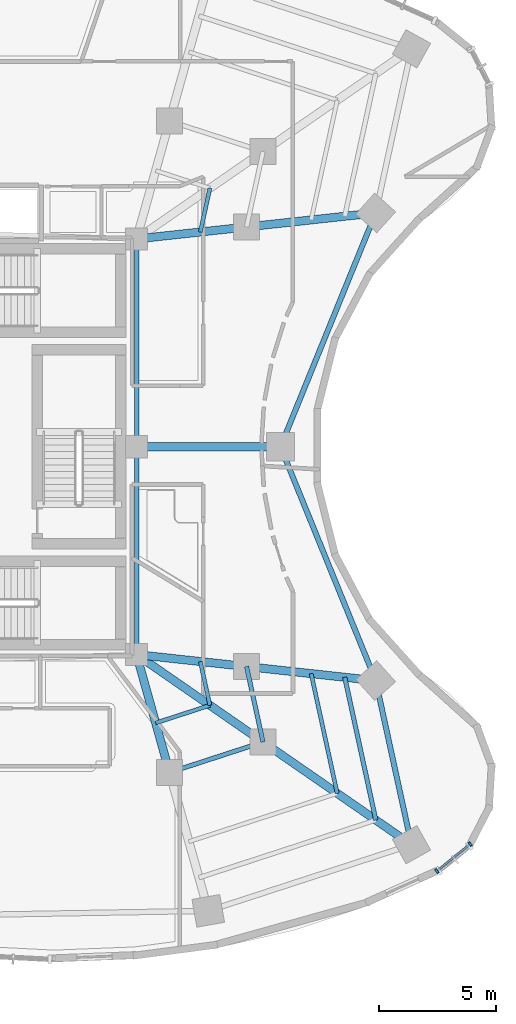
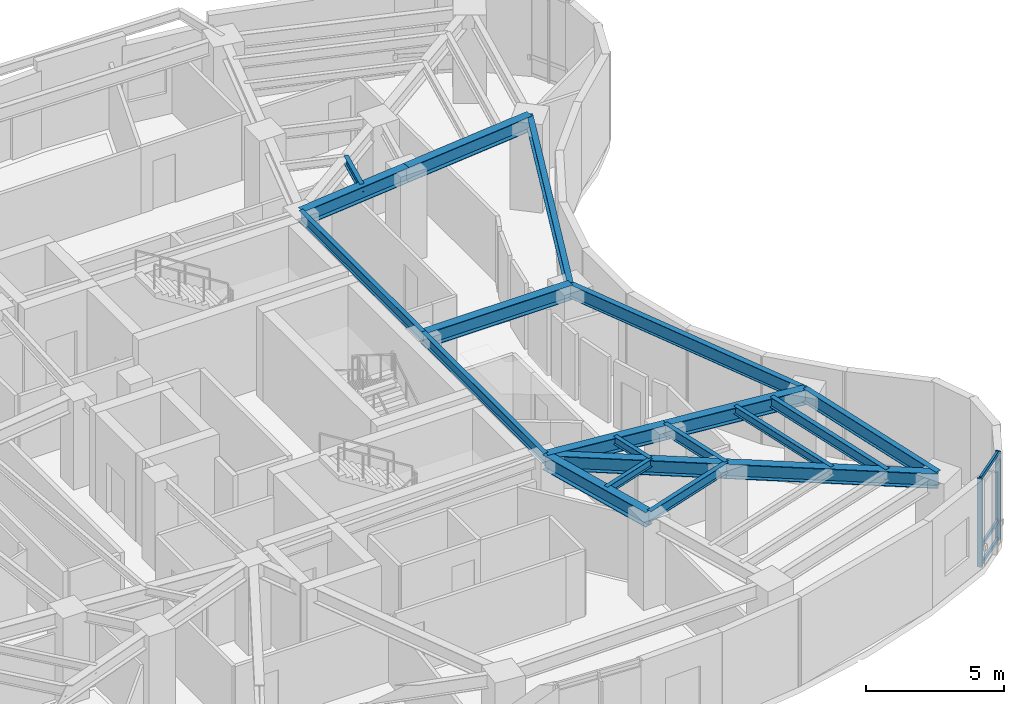
# One storey, part 4 of 15: 20 beams, 5 members, 1 element without a shape of its own.
"""IFC4 building model written with IfcOpenShell, lengths in metres."""

from ifc_helpers import new_model, si_unit, direction, frame, origin, origin_2d, place, context, subcontext, project, spatial, rectangle, i_section, extrude, material, layer, layer_set, material_profile, profile_set, type_object, element, aggregate, save


model = new_model("IFC4")

# Units and contexts
model_context = context("Model", 3, precision=1e-05, world=origin(), true_north=direction((0.0, 1.0)))
body_context = subcontext(model_context, "Body", "Model", "MODEL_VIEW")
ifc_project = project(units=[si_unit("LENGTHUNIT", "METRE"), si_unit("AREAUNIT", "SQUARE_METRE"), si_unit("VOLUMEUNIT", "CUBIC_METRE"), si_unit("PLANEANGLEUNIT", "RADIAN"), si_unit("MASSUNIT", "GRAM", prefix="KILO")], contexts=[model_context])

# Site, building, storey
site_placement = place(None, origin())
site = spatial("IfcSite", under=ifc_project, at=site_placement, CompositionType="ELEMENT")
building_placement = place(site_placement, origin())
building = spatial("IfcBuilding", under=site, at=building_placement, Name="Korentha Bioscience Tower", CompositionType="ELEMENT")
storey_placement = place(building_placement, frame((0.0, 0.0, 94.199951171875)))
storey = spatial("IfcBuildingStorey", under=building, at=storey_placement, Name="L21", CompositionType="ELEMENT", Elevation=94.199951171875)

# Beams
ifc_material_1 = material(Name="Steel S355", Category="steel")
ifc_material_profile_1 = material_profile(ifc_material_1, i_section(OverallWidth=0.18994140625, OverallDepth=0.45703125, WebThickness=0.009033203125, FlangeThickness=0.014404296875, at=origin_2d()), Name="Steel S355")
ifc_profile_set_1 = profile_set([ifc_material_profile_1], Name="Steel S355 (MB-460)")
beam_type_1 = type_object("IfcBeamType", Name="Mid-Ring Tie Girder W460x74", PredefinedType="BEAM", material=ifc_profile_set_1)
beam_1_placement = place(storey_placement, frame((38.954833984375, 13.129150390625, 3.671630859375), z_axis=(0.95087582253, 0.309572560361, 0.0), x_axis=(-0.309572560361, 0.95087582253, 0.0)))
element("IfcBeam", 1, at=beam_1_placement, inside=storey, type_object=beam_type_1, Name="L21 Mid-Ring Tie Girder 12", PredefinedType="BEAM", context=body_context, shape_type="SweptSolid", body=[
    extrude(i_section(OverallWidth=0.18994140625, OverallDepth=0.45703125, WebThickness=0.009033203125, FlangeThickness=0.014404296875, at=origin_2d()), origin(), (0.0, 0.0, 1.0), 4.186767578125),
])
beam_2_placement = place(storey_placement, frame((42.93603515625, 14.42529296875, 3.671630859375), z_axis=(-0.212928773299, 0.977067724112, 0.0), x_axis=(-0.977067724112, -0.212928773299, 0.0)))
element("IfcBeam", 2, at=beam_2_placement, inside=storey, type_object=beam_type_1, Name="L21 Mid-Ring Tie Girder 13", PredefinedType="BEAM", context=body_context, shape_type="SweptSolid", body=[
    extrude(i_section(OverallWidth=0.18994140625, OverallDepth=0.45703125, WebThickness=0.009033203125, FlangeThickness=0.014404296875, at=origin_2d()), origin(), (0.0, 0.0, 1.0), 3.28955078125),
])
for number, where, z_axis, x_axis, name in (
    (3, (37.550048828125, 18.14990234375, 3.671630859375), (0.0, 1.0, 0.0), (-1.0, 0.0, 0.0), "L21 Core Ring Tie Girder 06"),
    (4, (37.550048828125, 27.0, 3.671630859375), (0.0, 1.0, 0.0), (-1.0, 0.0, 0.0), "L21 Core Ring Tie Girder 07"),
):
    element("IfcBeam", number, at=place(storey_placement, frame(where, z_axis=z_axis, x_axis=x_axis)), inside=storey, type_object=beam_type_1, Name=name, PredefinedType="BEAM", context=body_context, shape_type="SweptSolid", body=[
        extrude(i_section(OverallWidth=0.18994140625, OverallDepth=0.45703125, WebThickness=0.009033203125, FlangeThickness=0.014404296875, at=origin_2d()), origin(), (0.0, 0.0, 1.0), 8.85009765625),
    ])

# Curtain wall, members
ifc_material_2 = material(Name="Thermally Broken Aluminium Frame", Category="aluminium")
ifc_layer = layer(ifc_material_2, 0.219970703125, Name="Thermally Broken Aluminium Frame")
ifc_layer_set = layer_set([ifc_layer], Name="Thermally Broken Aluminium Frame (CW-T2)")
curtain_wall_type = type_object("IfcCurtainWallType", Name="Solar-Screened Lab Unitised Curtain Wall CW-T2", PredefinedType="USERDEFINED", material=ifc_layer_set)
curtain_wall_placement = place(storey_placement, origin())
curtain_wall = element("IfcCurtainWall", 5, at=curtain_wall_placement, inside=storey, type_object=curtain_wall_type, Name="L21 Curtain Wall 37", ObjectType="UNITISED", PredefinedType="USERDEFINED")
ifc_material_3 = material(Name="Anodised Aluminium 6063-T6", Category="aluminium")
ifc_material_profile_2 = material_profile(ifc_material_3, rectangle(XDim=0.090087890625, YDim=0.199951171875, at=origin_2d()), Name="Anodised Aluminium 6063-T6")
ifc_profile_set_2 = profile_set([ifc_material_profile_2], Name="Anodised Aluminium 6063-T6 (CW-MUL)")
member_type_1 = type_object("IfcMemberType", Name="Mullion RECT 90x200", PredefinedType="MULLION", material=ifc_profile_set_2)
member_1_placement = place(storey_placement, frame((50.337158203125, 8.931884765625, 0.0), z_axis=(0.0, 0.0, 1.0), x_axis=(0.777315301098, 0.629111216463, 0.0)))
member_1 = element("IfcMember", 6, at=member_1_placement, type_object=member_type_1, Name="CW-L21-37 Mullion 1", PredefinedType="MULLION", context=body_context, shape_type="SweptSolid", body=[
    extrude(rectangle(XDim=0.090087890625, YDim=0.199951171875, at=origin_2d()), origin(), (0.0, 0.0, 1.0), 3.900146484375),
])
member_2_placement = place(storey_placement, frame((51.7578125, 10.08154296875, 0.0), z_axis=(0.0, 0.0, 1.0), x_axis=(0.777315301098, 0.629111216463, 0.0)))
member_2 = element("IfcMember", 7, at=member_2_placement, type_object=member_type_1, Name="CW-L21-37 Mullion 2", PredefinedType="MULLION", context=body_context, shape_type="SweptSolid", body=[
    extrude(rectangle(XDim=0.090087890625, YDim=0.199951171875, at=origin_2d()), origin(), (0.0, 0.0, 1.0), 3.900146484375),
])

# Beams
ifc_material_profile_3 = material_profile(ifc_material_1, i_section(OverallWidth=0.22802734375, OverallDepth=0.60791015625, WebThickness=0.01123046875, FlangeThickness=0.017333984375, at=origin_2d()), Name="Steel S355")
ifc_profile_set_3 = profile_set([ifc_material_profile_3], Name="Steel S355 (SB-610)")
beam_type_2 = type_object("IfcBeamType", Name="Perimeter Ring Spandrel Girder W610x113", PredefinedType="SPANDREL", material=ifc_profile_set_3)
beam_3_placement = place(storey_placement, frame((49.2587890625, 10.052978515625, 3.595947265625), z_axis=(-0.212927102256, 0.977068088275, 0.0), x_axis=(-0.977068088275, -0.212927102256, 0.0)))
element("IfcBeam", 8, at=beam_3_placement, inside=storey, type_object=beam_type_2, Name="L21 Perimeter Spandrel Girder 13", PredefinedType="SPANDREL", context=body_context, shape_type="SweptSolid", body=[
    extrude(i_section(OverallWidth=0.22802734375, OverallDepth=0.60791015625, WebThickness=0.01123046875, FlangeThickness=0.017333984375, at=origin_2d()), origin(), (0.0, 0.0, 1.0), 7.1513671875),
])
for number, where, z_axis, x_axis, name in (
    (9, (47.736083984375, 17.040283203125, 3.595947265625), (-0.37709856037, 0.926173134876, 0.0), (-0.926173134876, -0.37709856037, 0.0), "L21 Perimeter Spandrel Girder 14"),
    (10, (43.680908203125, 27.0, 3.595947265625), (0.37709856037, 0.926173134876, 0.0), (-0.926173134876, 0.37709856037, 0.0), "L21 Perimeter Spandrel Girder 15"),
):
    element("IfcBeam", number, at=place(storey_placement, frame(where, z_axis=z_axis, x_axis=x_axis)), inside=storey, type_object=beam_type_2, Name=name, PredefinedType="SPANDREL", context=body_context, shape_type="SweptSolid", body=[
        extrude(i_section(OverallWidth=0.22802734375, OverallDepth=0.60791015625, WebThickness=0.01123046875, FlangeThickness=0.017333984375, at=origin_2d()), origin(), (0.0, 0.0, 1.0), 10.753662109375),
    ])
ifc_material_profile_4 = material_profile(ifc_material_1, i_section(OverallWidth=0.18994140625, OverallDepth=0.45703125, WebThickness=0.009033203125, FlangeThickness=0.014404296875, at=origin_2d()), Name="Steel S355")
ifc_profile_set_4 = profile_set([ifc_material_profile_4], Name="Steel S355 (RB-460)")
beam_type_3 = type_object("IfcBeamType", Name="Radial Laboratory Beam W460x74", PredefinedType="BEAM", material=ifc_profile_set_4)
beam_4_placement = place(storey_placement, frame((47.7412109375, 11.1025390625, 3.671630859375), z_axis=(-0.21290837934, 0.977072168269, 0.0), x_axis=(-0.977072168269, -0.21290837934, 0.0)))
element("IfcBeam", 11, at=beam_4_placement, inside=storey, type_object=beam_type_3, Name="L21 Secondary Floor Beam JSTO-13", PredefinedType="BEAM", context=body_context, shape_type="SweptSolid", body=[
    extrude(i_section(OverallWidth=0.18994140625, OverallDepth=0.45703125, WebThickness=0.009033203125, FlangeThickness=0.014404296875, at=origin_2d()), origin(), (0.0, 0.0, 1.0), 6.224365234375),
])
ifc_material_profile_5 = material_profile(ifc_material_1, i_section(OverallWidth=0.35009765625, OverallDepth=0.64990234375, WebThickness=0.01611328125, FlangeThickness=0.02490234375, at=origin_2d()), Name="Steel S355")
ifc_profile_set_5 = profile_set([ifc_material_profile_5], Name="Steel S355 (RB-650)")
beam_type_4 = type_object("IfcBeamType", Name="Radial Laboratory Girder CVS 650x208", PredefinedType="BEAM", material=ifc_profile_set_5)
beam_5_placement = place(storey_placement, frame((37.550048828125, 18.14990234375, 3.574951171875), z_axis=(0.269447542125, -0.96301506844, 0.0), x_axis=(0.96301506844, 0.269447542125, 0.0)))
element("IfcBeam", 12, at=beam_5_placement, inside=storey, type_object=beam_type_4, Name="L21 Inner Radial Girder 12", PredefinedType="BEAM", context=body_context, shape_type="SweptSolid", body=[
    extrude(i_section(OverallWidth=0.35009765625, OverallDepth=0.64990234375, WebThickness=0.01611328125, FlangeThickness=0.02490234375, at=origin_2d()), origin(), (0.0, 0.0, 1.0), 5.213623046875),
])
beam_6_placement = place(storey_placement, frame((37.550048828125, 18.14990234375, 3.574951171875), z_axis=(0.822488699387, -0.568781451333, 0.0), x_axis=(0.568781451333, 0.822488699387, 0.0)))
element("IfcBeam", 13, at=beam_6_placement, inside=storey, type_object=beam_type_4, Name="L21 Inner Radial Girder 13", PredefinedType="BEAM", context=body_context, shape_type="SweptSolid", body=[
    extrude(i_section(OverallWidth=0.35009765625, OverallDepth=0.64990234375, WebThickness=0.01611328125, FlangeThickness=0.02490234375, at=origin_2d()), origin(), (0.0, 0.0, 1.0), 6.54833984375),
])
beam_7_placement = place(storey_placement, frame((42.93603515625, 14.42529296875, 3.574951171875), z_axis=(0.822495056204, -0.568772258922, 0.0), x_axis=(0.568772258922, 0.822495056204, 0.0)))
element("IfcBeam", 14, at=beam_7_placement, inside=storey, type_object=beam_type_4, Name="L21 Outer Radial Girder 13", PredefinedType="BEAM", context=body_context, shape_type="SweptSolid", body=[
    extrude(i_section(OverallWidth=0.35009765625, OverallDepth=0.64990234375, WebThickness=0.01611328125, FlangeThickness=0.02490234375, at=origin_2d()), origin(), (0.0, 0.0, 1.0), 7.687255859375),
])
beam_8_placement = place(storey_placement, frame((37.550048828125, 18.14990234375, 3.574951171875), z_axis=(0.994117092476, -0.108310694058, 0.0), x_axis=(0.108310694058, 0.994117092476, 0.0)))
element("IfcBeam", 15, at=beam_8_placement, inside=storey, type_object=beam_type_4, Name="L21 Inner Radial Girder 14", PredefinedType="BEAM", context=body_context, shape_type="SweptSolid", body=[
    extrude(i_section(OverallWidth=0.35009765625, OverallDepth=0.64990234375, WebThickness=0.01611328125, FlangeThickness=0.02490234375, at=origin_2d()), origin(), (0.0, 0.0, 1.0), 4.71337890625),
])
beam_9_placement = place(storey_placement, frame((42.235595703125, 17.639404296875, 3.574951171875), z_axis=(0.994120325557, -0.108281015487, 0.0), x_axis=(0.108281015487, 0.994120325557, 0.0)))
element("IfcBeam", 16, at=beam_9_placement, inside=storey, type_object=beam_type_4, Name="L21 Outer Radial Girder 14", PredefinedType="BEAM", context=body_context, shape_type="SweptSolid", body=[
    extrude(i_section(OverallWidth=0.35009765625, OverallDepth=0.64990234375, WebThickness=0.01611328125, FlangeThickness=0.02490234375, at=origin_2d()), origin(), (0.0, 0.0, 1.0), 5.532958984375),
])
beam_10_placement = place(storey_placement, frame((37.550048828125, 27.0, 3.574951171875), z_axis=(1.0, 0.0, 0.0), x_axis=(0.0, 1.0, 0.0)))
element("IfcBeam", 17, at=beam_10_placement, inside=storey, type_object=beam_type_4, Name="L21 Radial Girder 15", PredefinedType="BEAM", context=body_context, shape_type="SweptSolid", body=[
    extrude(i_section(OverallWidth=0.35009765625, OverallDepth=0.64990234375, WebThickness=0.01611328125, FlangeThickness=0.02490234375, at=origin_2d()), origin(), (0.0, 0.0, 1.0), 6.130859375),
])
beam_11_placement = place(storey_placement, frame((37.550048828125, 35.85009765625, 3.574951171875), z_axis=(0.994117092476, 0.108310694058, 0.0), x_axis=(-0.108310694058, 0.994117092476, 0.0)))
element("IfcBeam", 18, at=beam_11_placement, inside=storey, type_object=beam_type_4, Name="L21 Inner Radial Girder 16", PredefinedType="BEAM", context=body_context, shape_type="SweptSolid", body=[
    extrude(i_section(OverallWidth=0.35009765625, OverallDepth=0.64990234375, WebThickness=0.01611328125, FlangeThickness=0.02490234375, at=origin_2d()), origin(), (0.0, 0.0, 1.0), 4.71337890625),
])
beam_12_placement = place(storey_placement, frame((42.235595703125, 36.360595703125, 3.574951171875), z_axis=(0.994120325557, 0.108281015487, 0.0), x_axis=(-0.108281015487, 0.994120325557, 0.0)))
element("IfcBeam", 19, at=beam_12_placement, inside=storey, type_object=beam_type_4, Name="L21 Outer Radial Girder 16", PredefinedType="BEAM", context=body_context, shape_type="SweptSolid", body=[
    extrude(i_section(OverallWidth=0.35009765625, OverallDepth=0.64990234375, WebThickness=0.01611328125, FlangeThickness=0.02490234375, at=origin_2d()), origin(), (0.0, 0.0, 1.0), 5.532958984375),
])
ifc_material_profile_6 = material_profile(ifc_material_1, i_section(OverallWidth=0.1708984375, OverallDepth=0.35498046875, WebThickness=0.007080078125, FlangeThickness=0.01171875, at=origin_2d()), Name="Steel S355")
ifc_profile_set_6 = profile_set([ifc_material_profile_6], Name="Steel S355 (JB-360)")
beam_type_5 = type_object("IfcBeamType", Name="Secondary Laboratory Joist W360x51", PredefinedType="JOIST", material=ifc_profile_set_6)
beam_13_placement = place(storey_placement, frame((38.36474609375, 15.23779296875, 3.72265625), z_axis=(0.950852158547, 0.30964523666, 0.0), x_axis=(-0.30964523666, 0.950852158547, 0.0)))
element("IfcBeam", 20, at=beam_13_placement, inside=storey, type_object=beam_type_5, Name="L21 Inner Bay Joist 12", PredefinedType="JOIST", context=body_context, shape_type="SweptSolid", body=[
    extrude(i_section(OverallWidth=0.1708984375, OverallDepth=0.35498046875, WebThickness=0.007080078125, FlangeThickness=0.01171875, at=origin_2d()), origin(), (0.0, 0.0, 1.0), 2.428466796875),
])
beam_14_placement = place(storey_placement, frame((46.097412109375, 12.2392578125, 3.72265625), z_axis=(-0.212932493609, 0.977066913351, 0.0), x_axis=(-0.977066913351, -0.212932493609, 0.0)))
element("IfcBeam", 21, at=beam_14_placement, inside=storey, type_object=beam_type_5, Name="L21 Secondary Floor Beam JST-13", PredefinedType="JOIST", context=body_context, shape_type="SweptSolid", body=[
    extrude(i_section(OverallWidth=0.1708984375, OverallDepth=0.35498046875, WebThickness=0.007080078125, FlangeThickness=0.01171875, at=origin_2d()), origin(), (0.0, 0.0, 1.0), 5.22021484375),
])
for number, where, z_axis, x_axis, name in (
    (22, (40.673828125, 15.98974609375, 3.72265625), (-0.212918344001, 0.977069996872, 0.0), (-0.977069996872, -0.212918344001, 0.0), "L21 Inner Bay Joist 13"),
    (23, (40.267578125, 36.14599609375, 3.72265625), (0.212918344001, 0.977069996872, 0.0), (-0.977069996872, 0.212918344001, 0.0), "L21 Inner Bay Joist 16"),
):
    element("IfcBeam", number, at=place(storey_placement, frame(where, z_axis=z_axis, x_axis=x_axis)), inside=storey, type_object=beam_type_5, Name=name, PredefinedType="JOIST", context=body_context, shape_type="SweptSolid", body=[
        extrude(i_section(OverallWidth=0.1708984375, OverallDepth=0.35498046875, WebThickness=0.007080078125, FlangeThickness=0.01171875, at=origin_2d()), origin(), (0.0, 0.0, 1.0), 1.907958984375),
    ])

# Member
ifc_material_profile_7 = material_profile(ifc_material_3, rectangle(XDim=0.090087890625, YDim=0.159912109375, at=origin_2d()), Name="Anodised Aluminium 6063-T6")
ifc_profile_set_7 = profile_set([ifc_material_profile_7], Name="Anodised Aluminium 6063-T6 (CW-TRN)")
member_type_2 = type_object("IfcMemberType", Name="Transom RECT 90x160", PredefinedType="USERDEFINED", material=ifc_profile_set_7)
member_3_placement = place(storey_placement, frame((50.3720703125, 8.960205078125, 0.045166015625), z_axis=(0.777333214738, 0.629089082137, 0.0), x_axis=(-0.629089082137, 0.777333214738, 0.0)))
member_3 = element("IfcMember", 24, at=member_3_placement, type_object=member_type_2, Name="CW-L21-37 Bay 1 Transom 1", ObjectType="TRANSOM", PredefinedType="USERDEFINED", context=body_context, shape_type="SweptSolid", body=[
    extrude(rectangle(XDim=0.090087890625, YDim=0.159912109375, at=origin_2d()), origin(), (0.0, 0.0, 1.0), 1.737548828125),
])

member_4_placement = place(storey_placement, frame((50.3720703125, 8.960205078125, 0.85009765625), z_axis=(0.777333214738, 0.629089082137, 0.0), x_axis=(-0.629089082137, 0.777333214738, 0.0)))
member_4 = element("IfcMember", 25, at=member_4_placement, type_object=member_type_2, Name="CW-L21-37 Bay 1 Transom 2", ObjectType="TRANSOM", PredefinedType="USERDEFINED", context=body_context, shape_type="SweptSolid", body=[
    extrude(rectangle(XDim=0.090087890625, YDim=0.159912109375, at=origin_2d()), origin(), (0.0, 0.0, 1.0), 1.737548828125),
])

member_5_placement = place(storey_placement, frame((50.3720703125, 8.960205078125, 3.85498046875), z_axis=(0.777333214738, 0.629089082137, 0.0), x_axis=(-0.629089082137, 0.777333214738, 0.0)))
member_5 = element("IfcMember", 26, at=member_5_placement, type_object=member_type_2, Name="CW-L21-37 Bay 1 Transom 3", ObjectType="TRANSOM", PredefinedType="USERDEFINED", context=body_context, shape_type="SweptSolid", body=[
    extrude(rectangle(XDim=0.090087890625, YDim=0.159912109375, at=origin_2d()), origin(), (0.0, 0.0, 1.0), 1.737548828125),
])

aggregate(curtain_wall, [member_1, member_2, member_3, member_4, member_5])

save(model, "model.ifc")
